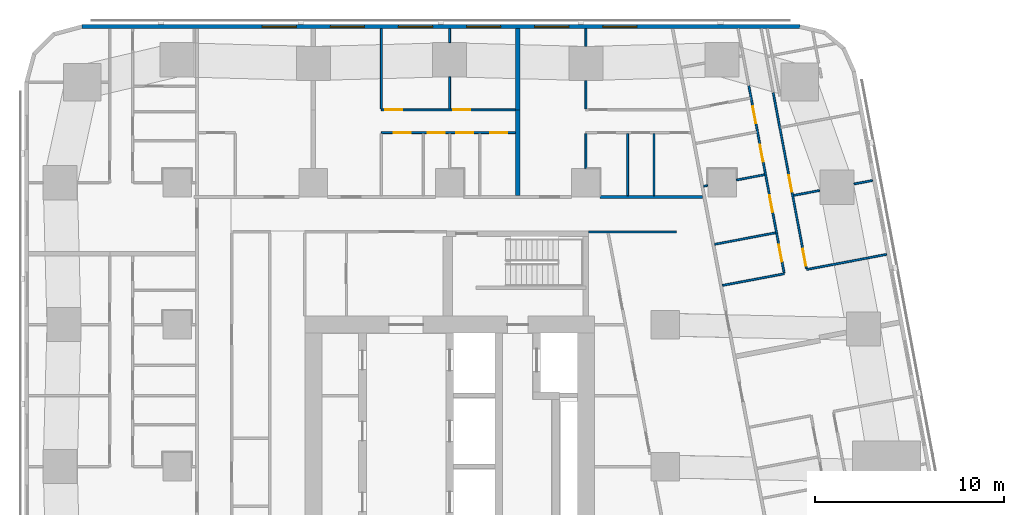
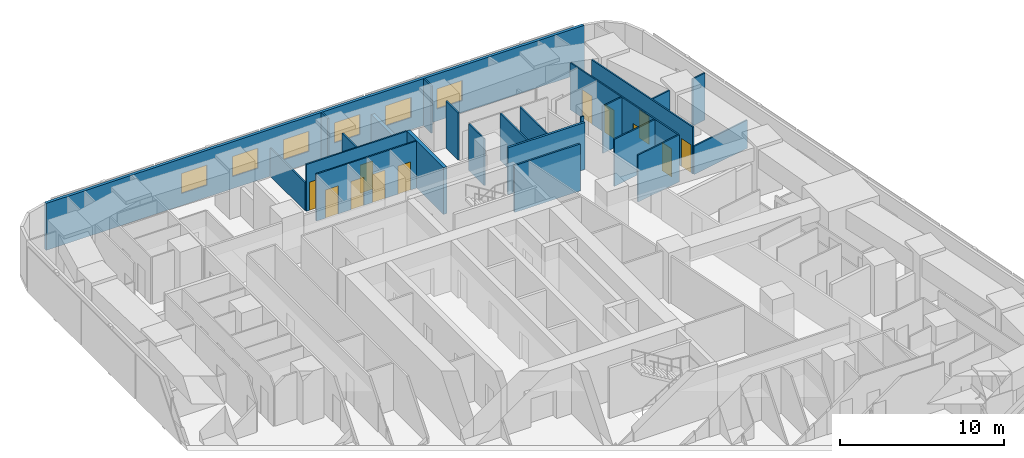
# One storey, part 10 of 15: 24 walls, 12 doors, 6 windows, 18 openings.
"""IFC4 building model written with IfcOpenShell, lengths in metres."""

from ifc_helpers import new_model, si_unit, direction, frame, frame_2d, origin, place, context, subcontext, project, spatial, rectangle, extrude, material, layer, layer_set, type_object, element, fill, save


model = new_model("IFC4")

# Units and contexts
model_context = context("Model", 3, precision=1e-05, world=origin(), true_north=direction((0.0, 1.0)))
body_context = subcontext(model_context, "Body", "Model", "MODEL_VIEW")
ifc_project = project(units=[si_unit("LENGTHUNIT", "METRE"), si_unit("AREAUNIT", "SQUARE_METRE"), si_unit("VOLUMEUNIT", "CUBIC_METRE"), si_unit("PLANEANGLEUNIT", "RADIAN"), si_unit("MASSUNIT", "GRAM", prefix="KILO")], contexts=[model_context])

# Site, building, storey
site_placement = place(None, origin())
site = spatial("IfcSite", under=ifc_project, at=site_placement, CompositionType="ELEMENT")
building_placement = place(site_placement, origin())
building = spatial("IfcBuilding", under=site, at=building_placement, Name="Sheger Commons Tower", CompositionType="ELEMENT")
storey_placement = place(building_placement, frame((0.0, 0.0, 150.800048828125)))
storey = spatial("IfcBuildingStorey", under=building, at=storey_placement, Name="L38", CompositionType="ELEMENT", Elevation=150.800048828125)

# Walls
ifc_material_1 = material(Name="Hollow concrete block masonry, skimmed both sides", Category="masonry")
ifc_layer_1 = layer(ifc_material_1, 0.14990234375)
ifc_layer_set_1 = layer_set([ifc_layer_1], Name="CORRIDOR WALL 150")
wall_type_1 = type_object("IfcWallType", Name="CORRIDOR WALL 150", PredefinedType="SOLIDWALL", material=ifc_layer_set_1)
wall_1_placement = place(storey_placement, frame((29.551025390625, 36.75, 0.0), z_axis=(0.0, 0.0, 1.0), x_axis=(1.0, 0.0, 0.0)))
element("IfcWall", 1, at=wall_1_placement, inside=storey, type_object=wall_type_1, Name="Corridor wall L38", PredefinedType="SOLIDWALL", context=body_context, shape_type="SweptSolid", body=[
    extrude(rectangle(XDim=5.421875, YDim=0.14990234375, at=frame_2d((2.7109375, 0.0))), origin(), (0.0, 0.0, 1.0), 3.5),
])
ifc_material_2 = material(Name="Dense concrete block masonry, plastered both sides (separating wall between flats)", Category="masonry")
ifc_layer_2 = layer(ifc_material_2, 0.25)
ifc_layer_set_2 = layer_set([ifc_layer_2], Name="DEMISING WALL 250")
wall_type_2 = type_object("IfcWallType", Name="DEMISING WALL 250", PredefinedType="SOLIDWALL", material=ifc_layer_set_2)
wall_2_placement = place(storey_placement, frame((25.199951171875, 41.35009765625, 0.0), z_axis=(0.0, 0.0, 1.0), x_axis=(0.0, 1.0, 0.0)))
element("IfcWall", 2, at=wall_2_placement, inside=storey, type_object=wall_type_2, Name="Demising wall L38", PredefinedType="SOLIDWALL", context=body_context, shape_type="SweptSolid", body=[
    extrude(rectangle(XDim=4.2998046875, YDim=0.25, at=frame_2d((2.14990234375, 0.0))), origin(), (0.0, 0.0, 1.0), 2.099853515625),
])
wall_3_placement = place(storey_placement, frame((25.199951171875, 36.824951171875, 0.0), z_axis=(0.0, 0.0, 1.0), x_axis=(0.0, 1.0, 0.0)))
element("IfcWall", 3, at=wall_3_placement, inside=storey, type_object=wall_type_2, Name="Demising wall L38", PredefinedType="SOLIDWALL", context=body_context, shape_type="SweptSolid", body=[
    extrude(rectangle(XDim=4.525146484375, YDim=0.25, at=frame_2d((2.2626953125, 0.0))), origin(), (0.0, 0.0, 1.0), 3.5),
])

# Wall, openings, windows
ifc_material_3 = material(Name="Rendered concrete block masonry, dark grey", Category="masonry")
ifc_layer_3 = layer(ifc_material_3, 0.199951171875)
ifc_layer_set_3 = layer_set([ifc_layer_3], Name="FACADE WALL 200")
wall_type_3 = type_object("IfcWallType", Name="FACADE WALL 200", PredefinedType="SOLIDWALL", material=ifc_layer_set_3)
wall_4_placement = place(storey_placement, frame((40.10595703125, 45.75, 0.0), z_axis=(0.0, 0.0, 1.0), x_axis=(-1.0, 0.0, 0.0)))
wall_4 = element("IfcWall", 4, at=wall_4_placement, inside=storey, type_object=wall_type_3, Name="Facade wall L38", PredefinedType="SOLIDWALL", context=body_context, shape_type="SweptSolid", body=[
    extrude(rectangle(XDim=37.94287109375, YDim=0.199951171875, at=frame_2d((18.971435546875, 0.0))), origin(), (0.0, 0.0, 1.0), 3.5),
])
opening_1_placement = place(wall_4_placement, frame((8.60595703125, 0.0, 0.89990234375)))
opening_1 = element("IfcOpeningElement", 5, at=opening_1_placement, cuts=wall_4, Name="Opening W2", PredefinedType="OPENING", context=body_context, shape_type="SweptSolid", body=[
    extrude(rectangle(XDim=1.800048828125, YDim=1.5, at=frame_2d((0.89990234375, 0.75))), frame((0.0, 0.10986328125, 0.0), z_axis=(0.0, -1.0, 0.0), x_axis=(1.0, 0.0, 0.0)), (0.0, 0.0, 1.0), 0.219970703125),
])
opening_2_placement = place(wall_4_placement, frame((12.2060546875, 0.0, 0.89990234375)))
opening_2 = element("IfcOpeningElement", 6, at=opening_2_placement, cuts=wall_4, Name="Opening W2", PredefinedType="OPENING", context=body_context, shape_type="SweptSolid", body=[
    extrude(rectangle(XDim=1.800048828125, YDim=1.5, at=frame_2d((0.89990234375, 0.75))), frame((0.0, 0.10986328125, 0.0), z_axis=(0.0, -1.0, 0.0), x_axis=(1.0, 0.0, 0.0)), (0.0, 0.0, 1.0), 0.219970703125),
])
opening_3_placement = place(wall_4_placement, frame((15.805908203125, 0.0, 0.89990234375)))
opening_3 = element("IfcOpeningElement", 7, at=opening_3_placement, cuts=wall_4, Name="Opening W2", PredefinedType="OPENING", context=body_context, shape_type="SweptSolid", body=[
    extrude(rectangle(XDim=1.800048828125, YDim=1.5, at=frame_2d((0.89990234375, 0.75))), frame((0.0, 0.10986328125, 0.0), z_axis=(0.0, -1.0, 0.0), x_axis=(1.0, 0.0, 0.0)), (0.0, 0.0, 1.0), 0.219970703125),
])
opening_4_placement = place(wall_4_placement, frame((19.406005859375, 0.0, 0.89990234375)))
opening_4 = element("IfcOpeningElement", 8, at=opening_4_placement, cuts=wall_4, Name="Opening W2", PredefinedType="OPENING", context=body_context, shape_type="SweptSolid", body=[
    extrude(rectangle(XDim=1.800048828125, YDim=1.5, at=frame_2d((0.89990234375, 0.75))), frame((0.0, 0.10986328125, 0.0), z_axis=(0.0, -1.0, 0.0), x_axis=(1.0, 0.0, 0.0)), (0.0, 0.0, 1.0), 0.219970703125),
])
opening_5_placement = place(wall_4_placement, frame((23.006103515625, 0.0, 0.89990234375)))
opening_5 = element("IfcOpeningElement", 9, at=opening_5_placement, cuts=wall_4, Name="Opening W2", PredefinedType="OPENING", context=body_context, shape_type="SweptSolid", body=[
    extrude(rectangle(XDim=1.800048828125, YDim=1.5, at=frame_2d((0.89990234375, 0.75))), frame((0.0, 0.10986328125, 0.0), z_axis=(0.0, -1.0, 0.0), x_axis=(1.0, 0.0, 0.0)), (0.0, 0.0, 1.0), 0.219970703125),
])
opening_6_placement = place(wall_4_placement, frame((26.60595703125, 0.0, 0.89990234375)))
opening_6 = element("IfcOpeningElement", 10, at=opening_6_placement, cuts=wall_4, Name="Opening W2", PredefinedType="OPENING", context=body_context, shape_type="SweptSolid", body=[
    extrude(rectangle(XDim=1.800048828125, YDim=1.5, at=frame_2d((0.89990234375, 0.75))), frame((0.0, 0.10986328125, 0.0), z_axis=(0.0, -1.0, 0.0), x_axis=(1.0, 0.0, 0.0)), (0.0, 0.0, 1.0), 0.219970703125),
])
ifc_material_4 = material(Name="Black aluminium frame, dark tinted double glazing", Category="aluminium")
window_type = type_object("IfcWindowType", Name="WINDOW W2 1800x1500", PartitioningType="SINGLE_PANEL", PredefinedType="WINDOW", material=ifc_material_4)
window_1_placement = place(opening_1_placement, origin())
window_1 = element("IfcWindow", 11, at=window_1_placement, inside=storey, type_object=window_type, Name="Window W2 1800X1500", OverallHeight=1.5, OverallWidth=1.800048828125, PartitioningType="SINGLE_PANEL", PredefinedType="WINDOW", context=body_context, shape_type="SweptSolid", body=[
    extrude(rectangle(XDim=1.800048828125, YDim=1.5, at=frame_2d((0.89990234375, 0.75))), frame((0.0, 0.030029296875, 0.0), z_axis=(0.0, -1.0, 0.0), x_axis=(1.0, 0.0, 0.0)), (0.0, 0.0, 1.0), 0.06005859375),
])
fill(opening_1, window_1)
window_2_placement = place(opening_2_placement, origin())
window_2 = element("IfcWindow", 12, at=window_2_placement, inside=storey, type_object=window_type, Name="Window W2 1800X1500", OverallHeight=1.5, OverallWidth=1.800048828125, PartitioningType="SINGLE_PANEL", PredefinedType="WINDOW", context=body_context, shape_type="SweptSolid", body=[
    extrude(rectangle(XDim=1.800048828125, YDim=1.5, at=frame_2d((0.89990234375, 0.75))), frame((0.0, 0.030029296875, 0.0), z_axis=(0.0, -1.0, 0.0), x_axis=(1.0, 0.0, 0.0)), (0.0, 0.0, 1.0), 0.06005859375),
])
fill(opening_2, window_2)
window_3_placement = place(opening_3_placement, origin())
window_3 = element("IfcWindow", 13, at=window_3_placement, inside=storey, type_object=window_type, Name="Window W2 1800X1500", OverallHeight=1.5, OverallWidth=1.800048828125, PartitioningType="SINGLE_PANEL", PredefinedType="WINDOW", context=body_context, shape_type="SweptSolid", body=[
    extrude(rectangle(XDim=1.800048828125, YDim=1.5, at=frame_2d((0.89990234375, 0.75))), frame((0.0, 0.030029296875, 0.0), z_axis=(0.0, -1.0, 0.0), x_axis=(1.0, 0.0, 0.0)), (0.0, 0.0, 1.0), 0.06005859375),
])
fill(opening_3, window_3)
window_4_placement = place(opening_4_placement, origin())
window_4 = element("IfcWindow", 14, at=window_4_placement, inside=storey, type_object=window_type, Name="Window W2 1800X1500", OverallHeight=1.5, OverallWidth=1.800048828125, PartitioningType="SINGLE_PANEL", PredefinedType="WINDOW", context=body_context, shape_type="SweptSolid", body=[
    extrude(rectangle(XDim=1.800048828125, YDim=1.5, at=frame_2d((0.89990234375, 0.75))), frame((0.0, 0.030029296875, 0.0), z_axis=(0.0, -1.0, 0.0), x_axis=(1.0, 0.0, 0.0)), (0.0, 0.0, 1.0), 0.06005859375),
])
fill(opening_4, window_4)
window_5_placement = place(opening_5_placement, origin())
window_5 = element("IfcWindow", 15, at=window_5_placement, inside=storey, type_object=window_type, Name="Window W2 1800X1500", OverallHeight=1.5, OverallWidth=1.800048828125, PartitioningType="SINGLE_PANEL", PredefinedType="WINDOW", context=body_context, shape_type="SweptSolid", body=[
    extrude(rectangle(XDim=1.800048828125, YDim=1.5, at=frame_2d((0.89990234375, 0.75))), frame((0.0, 0.030029296875, 0.0), z_axis=(0.0, -1.0, 0.0), x_axis=(1.0, 0.0, 0.0)), (0.0, 0.0, 1.0), 0.06005859375),
])
fill(opening_5, window_5)
window_6_placement = place(opening_6_placement, origin())
window_6 = element("IfcWindow", 16, at=window_6_placement, inside=storey, type_object=window_type, Name="Window W2 1800X1500", OverallHeight=1.5, OverallWidth=1.800048828125, PartitioningType="SINGLE_PANEL", PredefinedType="WINDOW", context=body_context, shape_type="SweptSolid", body=[
    extrude(rectangle(XDim=1.800048828125, YDim=1.5, at=frame_2d((0.89990234375, 0.75))), frame((0.0, 0.030029296875, 0.0), z_axis=(0.0, -1.0, 0.0), x_axis=(1.0, 0.0, 0.0)), (0.0, 0.0, 1.0), 0.06005859375),
])
fill(opening_6, window_6)

# Wall, openings, doors
ifc_material_5 = material(Name="Gypsum board on steel studs", Category="steel")
ifc_layer_4 = layer(ifc_material_5, 0.10009765625)
ifc_layer_set_4 = layer_set([ifc_layer_4], Name="PARTITION 100")
wall_type_4 = type_object("IfcWallType", Name="PARTITION 100", PredefinedType="PARTITIONING", material=ifc_layer_set_4)
wall_5_placement = place(storey_placement, frame((38.700927734375, 42.27001953125, 0.0), z_axis=(0.0, 0.0, 1.0), x_axis=(0.185634707842, -0.982618825, 0.0)))
wall_5 = element("IfcWall", 17, at=wall_5_placement, inside=storey, type_object=wall_type_4, Name="Partition L38", PredefinedType="PARTITIONING", context=body_context, shape_type="SweptSolid", body=[
    extrude(rectangle(XDim=9.470458984375, YDim=0.10009765625, at=frame_2d((4.7353515625, 0.0))), origin(), (0.0, 0.0, 1.0), 3.5),
])
opening_7_placement = place(wall_5_placement, frame((8.419921875, 0.0, 0.0)))
opening_7 = element("IfcOpeningElement", 18, at=opening_7_placement, cuts=wall_5, Name="Opening D2", PredefinedType="OPENING", context=body_context, shape_type="SweptSolid", body=[
    extrude(rectangle(XDim=0.89990234375, YDim=2.10009765625, at=frame_2d((0.449951171875, 1.050048828125))), frame((0.0, 0.06005859375, 0.0), z_axis=(0.0, -1.0, 0.0), x_axis=(1.0, 0.0, 0.0)), (0.0, 0.0, 1.0), 0.1201171875),
])
opening_8_placement = place(wall_5_placement, frame((4.444091796875, 0.0, 0.0)))
opening_8 = element("IfcOpeningElement", 19, at=opening_8_placement, cuts=wall_5, Name="Opening D2", PredefinedType="OPENING", context=body_context, shape_type="SweptSolid", body=[
    extrude(rectangle(XDim=0.89990234375, YDim=2.10009765625, at=frame_2d((0.449951171875, 1.050048828125))), frame((0.0, 0.06005859375, 0.0), z_axis=(0.0, -1.0, 0.0), x_axis=(1.0, 0.0, 0.0)), (0.0, 0.0, 1.0), 0.1201171875),
])
ifc_material_6 = material(Name="Timber door set", Category="wood")
door_type = type_object("IfcDoorType", Name="INTERNAL DOOR 900x2100", OperationType="NOTDEFINED", PredefinedType="DOOR", material=ifc_material_6)
door_1_placement = place(opening_7_placement, origin())
door_1 = element("IfcDoor", 20, at=door_1_placement, inside=storey, type_object=door_type, Name="Main bedroom door", OperationType="SINGLE_SWING_RIGHT", OverallHeight=2.10009765625, OverallWidth=0.89990234375, PredefinedType="DOOR", context=body_context, shape_type="SweptSolid", body=[
    extrude(rectangle(XDim=0.89990234375, YDim=2.10009765625, at=frame_2d((0.449951171875, 1.050048828125))), frame((0.0, 0.02490234375, 0.0), z_axis=(0.0, -1.0, 0.0), x_axis=(1.0, 0.0, 0.0)), (0.0, 0.0, 1.0), 0.050048828125),
])
fill(opening_7, door_1)
door_2_placement = place(opening_8_placement, origin())
door_2 = element("IfcDoor", 21, at=door_2_placement, inside=storey, type_object=door_type, Name="Bedroom 2 door", OperationType="SINGLE_SWING_RIGHT", OverallHeight=2.10009765625, OverallWidth=0.89990234375, PredefinedType="DOOR", context=body_context, shape_type="SweptSolid", body=[
    extrude(rectangle(XDim=0.89990234375, YDim=2.10009765625, at=frame_2d((0.449951171875, 1.050048828125))), frame((0.0, 0.02490234375, 0.0), z_axis=(0.0, -1.0, 0.0), x_axis=(1.0, 0.0, 0.0)), (0.0, 0.0, 1.0), 0.050048828125),
])
fill(opening_8, door_2)

wall_6_placement = place(storey_placement, frame((37.410888671875, 42.637939453125, 0.0), z_axis=(0.0, 0.0, 1.0), x_axis=(0.185485587071, -0.982646984928, 0.0)))
wall_6 = element("IfcWall", 22, at=wall_6_placement, inside=storey, type_object=wall_type_4, Name="Partition L38", PredefinedType="PARTITIONING", context=body_context, shape_type="SweptSolid", body=[
    extrude(rectangle(XDim=10.07177734375, YDim=0.10009765625, at=frame_2d((5.035888671875, 0.0))), origin(), (0.0, 0.0, 1.0), 3.5),
])
opening_9_placement = place(wall_6_placement, frame((8.56689453125, 0.0, 0.0)))
opening_9 = element("IfcOpeningElement", 23, at=opening_9_placement, cuts=wall_6, Name="Opening D2", PredefinedType="OPENING", context=body_context, shape_type="SweptSolid", body=[
    extrude(rectangle(XDim=0.89990234375, YDim=2.10009765625, at=frame_2d((0.449951171875, 1.050048828125))), frame((0.0, 0.06005859375, 0.0), z_axis=(0.0, -1.0, 0.0), x_axis=(1.0, 0.0, 0.0)), (0.0, 0.0, 1.0), 0.1201171875),
])
opening_10_placement = place(wall_6_placement, frame((3.18798828125, 0.0, 0.0)))
opening_10 = element("IfcOpeningElement", 24, at=opening_10_placement, cuts=wall_6, Name="Opening D2", PredefinedType="OPENING", context=body_context, shape_type="SweptSolid", body=[
    extrude(rectangle(XDim=0.89990234375, YDim=2.10009765625, at=frame_2d((0.449951171875, 1.050048828125))), frame((0.0, 0.06005859375, 0.0), z_axis=(0.0, -1.0, 0.0), x_axis=(1.0, 0.0, 0.0)), (0.0, 0.0, 1.0), 0.1201171875),
])
opening_11_placement = place(wall_6_placement, frame((1.12890625, 0.0, 0.0)))
opening_11 = element("IfcOpeningElement", 25, at=opening_11_placement, cuts=wall_6, Name="Opening D2", PredefinedType="OPENING", context=body_context, shape_type="SweptSolid", body=[
    extrude(rectangle(XDim=0.89990234375, YDim=2.10009765625, at=frame_2d((0.449951171875, 1.050048828125))), frame((0.0, 0.06005859375, 0.0), z_axis=(0.0, -1.0, 0.0), x_axis=(1.0, 0.0, 0.0)), (0.0, 0.0, 1.0), 0.1201171875),
])
opening_12_placement = place(wall_6_placement, frame((5.89892578125, 0.0, 0.0)))
opening_12 = element("IfcOpeningElement", 26, at=opening_12_placement, cuts=wall_6, Name="Opening D2", PredefinedType="OPENING", context=body_context, shape_type="SweptSolid", body=[
    extrude(rectangle(XDim=0.89990234375, YDim=2.10009765625, at=frame_2d((0.449951171875, 1.050048828125))), frame((0.0, 0.06005859375, 0.0), z_axis=(0.0, -1.0, 0.0), x_axis=(1.0, 0.0, 0.0)), (0.0, 0.0, 1.0), 0.1201171875),
])
door_3_placement = place(opening_9_placement, origin())
door_3 = element("IfcDoor", 27, at=door_3_placement, inside=storey, type_object=door_type, Name="Bathroom door", OperationType="SINGLE_SWING_LEFT", OverallHeight=2.10009765625, OverallWidth=0.89990234375, PredefinedType="DOOR", context=body_context, shape_type="SweptSolid", body=[
    extrude(rectangle(XDim=0.89990234375, YDim=2.10009765625, at=frame_2d((0.449951171875, 1.050048828125))), frame((0.0, 0.02490234375, 0.0), z_axis=(0.0, -1.0, 0.0), x_axis=(1.0, 0.0, 0.0)), (0.0, 0.0, 1.0), 0.050048828125),
])
fill(opening_9, door_3)
door_4_placement = place(opening_10_placement, origin())
door_4 = element("IfcDoor", 28, at=door_4_placement, inside=storey, type_object=door_type, Name="Laundry room door", OperationType="SINGLE_SWING_LEFT", OverallHeight=2.10009765625, OverallWidth=0.89990234375, PredefinedType="DOOR", context=body_context, shape_type="SweptSolid", body=[
    extrude(rectangle(XDim=0.89990234375, YDim=2.10009765625, at=frame_2d((0.449951171875, 1.050048828125))), frame((0.0, 0.02490234375, 0.0), z_axis=(0.0, -1.0, 0.0), x_axis=(1.0, 0.0, 0.0)), (0.0, 0.0, 1.0), 0.050048828125),
])
fill(opening_10, door_4)
door_5_placement = place(opening_11_placement, origin())
door_5 = element("IfcDoor", 29, at=door_5_placement, inside=storey, type_object=door_type, Name="Laundry room door", OperationType="SINGLE_SWING_LEFT", OverallHeight=2.10009765625, OverallWidth=0.89990234375, PredefinedType="DOOR", context=body_context, shape_type="SweptSolid", body=[
    extrude(rectangle(XDim=0.89990234375, YDim=2.10009765625, at=frame_2d((0.449951171875, 1.050048828125))), frame((0.0, 0.02490234375, 0.0), z_axis=(0.0, -1.0, 0.0), x_axis=(1.0, 0.0, 0.0)), (0.0, 0.0, 1.0), 0.050048828125),
])
fill(opening_11, door_5)
door_6_placement = place(opening_12_placement, origin())
door_6 = element("IfcDoor", 30, at=door_6_placement, inside=storey, type_object=door_type, Name="Store door", OperationType="SINGLE_SWING_RIGHT", OverallHeight=2.10009765625, OverallWidth=0.89990234375, PredefinedType="DOOR", context=body_context, shape_type="SweptSolid", body=[
    extrude(rectangle(XDim=0.89990234375, YDim=2.10009765625, at=frame_2d((0.449951171875, 1.050048828125))), frame((0.0, 0.02490234375, 0.0), z_axis=(0.0, -1.0, 0.0), x_axis=(1.0, 0.0, 0.0)), (0.0, 0.0, 1.0), 0.050048828125),
])
fill(opening_12, door_6)

# Walls
wall_7_placement = place(storey_placement, frame((43.955078125, 37.6201171875, 0.0), z_axis=(0.0, 0.0, 1.0), x_axis=(-0.982666697719, -0.185381124159, 0.0)))
element("IfcWall", 31, at=wall_7_placement, inside=storey, type_object=wall_type_4, Name="Partition L38", PredefinedType="PARTITIONING", context=body_context, shape_type="SweptSolid", body=[
    extrude(rectangle(XDim=0.998291015625, YDim=0.10009765625, at=frame_2d((0.4990234375, 0.0))), origin(), (0.0, 0.0, 1.0), 3.5),
])
wall_8_placement = place(storey_placement, frame((41.154052734375, 37.091064453125, 0.0), z_axis=(0.0, 0.0, 1.0), x_axis=(-0.982586605669, -0.185805173125, 0.0)))
element("IfcWall", 32, at=wall_8_placement, inside=storey, type_object=wall_type_4, Name="Partition L38", PredefinedType="PARTITIONING", context=body_context, shape_type="SweptSolid", body=[
    extrude(rectangle(XDim=1.3994140625, YDim=0.10009765625, at=frame_2d((0.69970703125, 0.0))), origin(), (0.0, 0.0, 1.0), 3.5),
])
wall_9_placement = place(storey_placement, frame((44.693115234375, 33.712890625, 0.0), z_axis=(0.0, 0.0, 1.0), x_axis=(-0.982633535512, -0.185556823879, 0.0)))
element("IfcWall", 33, at=wall_9_placement, inside=storey, type_object=wall_type_4, Name="Partition L38", PredefinedType="PARTITIONING", context=body_context, shape_type="SweptSolid", body=[
    extrude(rectangle(XDim=4.2998046875, YDim=0.10009765625, at=frame_2d((2.14990234375, 0.0))), origin(), (0.0, 0.0, 1.0), 2.099853515625),
])
wall_10_placement = place(storey_placement, frame((38.25, 37.925048828125, 0.0), z_axis=(0.0, 0.0, 1.0), x_axis=(-0.982676595259, -0.18532865167, 0.0)))
element("IfcWall", 34, at=wall_10_placement, inside=storey, type_object=wall_type_4, Name="Partition L38", PredefinedType="PARTITIONING", context=body_context, shape_type="SweptSolid", body=[
    extrude(rectangle(XDim=1.516357421875, YDim=0.10009765625, at=frame_2d((0.75830078125, 0.0))), origin(), (0.0, 0.0, 1.0), 3.5),
])
wall_11_placement = place(storey_placement, frame((35.239990234375, 37.35595703125, 0.0), z_axis=(0.0, 0.0, 1.0), x_axis=(-0.982819911474, -0.184567119526, 0.0)))
element("IfcWall", 35, at=wall_11_placement, inside=storey, type_object=wall_type_4, Name="Partition L38", PredefinedType="PARTITIONING", context=body_context, shape_type="SweptSolid", body=[
    extrude(rectangle(XDim=0.211669921875, YDim=0.10009765625, at=frame_2d((0.10595703125, 0.0))), origin(), (0.0, 0.0, 1.0), 3.5),
])
wall_12_placement = place(storey_placement, frame((39.2890625, 32.69189453125, 0.0), z_axis=(0.0, 0.0, 1.0), x_axis=(-0.982633623707, -0.185556356831, 0.0)))
element("IfcWall", 36, at=wall_12_placement, inside=storey, type_object=wall_type_4, Name="Partition L38", PredefinedType="PARTITIONING", context=body_context, shape_type="SweptSolid", body=[
    extrude(rectangle(XDim=3.324951171875, YDim=0.10009765625, at=frame_2d((1.66259765625, 0.0))), origin(), (0.0, 0.0, 1.0), 3.5),
])
wall_13_placement = place(storey_placement, frame((38.8291015625, 34.85498046875, 0.0), z_axis=(0.0, 0.0, 1.0), x_axis=(-0.982610347627, -0.185679575441, 0.0)))
element("IfcWall", 37, at=wall_13_placement, inside=storey, type_object=wall_type_4, Name="Partition L38", PredefinedType="PARTITIONING", context=body_context, shape_type="SweptSolid", body=[
    extrude(rectangle(XDim=3.27392578125, YDim=0.10009765625, at=frame_2d((1.636962890625, 0.0))), origin(), (0.0, 0.0, 1.0), 3.5),
])

# Wall, openings, doors
wall_14_placement = place(storey_placement, frame((18.0, 41.35009765625, 0.0), z_axis=(0.0, 0.0, 1.0), x_axis=(1.0, 0.0, 0.0)))
wall_14 = element("IfcWall", 38, at=wall_14_placement, inside=storey, type_object=wall_type_4, Name="Partition L38", PredefinedType="PARTITIONING", context=body_context, shape_type="SweptSolid", body=[
    extrude(rectangle(XDim=7.074951171875, YDim=0.10009765625, at=frame_2d((3.53759765625, 0.0))), origin(), (0.0, 0.0, 1.0), 3.5),
])
opening_13_placement = place(wall_14_placement, frame((0.199951171875, 0.0, 0.0)))
opening_13 = element("IfcOpeningElement", 39, at=opening_13_placement, cuts=wall_14, Name="Opening D2", PredefinedType="OPENING", context=body_context, shape_type="SweptSolid", body=[
    extrude(rectangle(XDim=0.89990234375, YDim=2.10009765625, at=frame_2d((0.449951171875, 1.050048828125))), frame((0.0, 0.06005859375, 0.0), z_axis=(0.0, -1.0, 0.0), x_axis=(1.0, 0.0, 0.0)), (0.0, 0.0, 1.0), 0.1201171875),
])
opening_14_placement = place(wall_14_placement, frame((3.800048828125, 0.0, 0.0)))
opening_14 = element("IfcOpeningElement", 40, at=opening_14_placement, cuts=wall_14, Name="Opening D2", PredefinedType="OPENING", context=body_context, shape_type="SweptSolid", body=[
    extrude(rectangle(XDim=0.89990234375, YDim=2.10009765625, at=frame_2d((0.449951171875, 1.050048828125))), frame((0.0, 0.06005859375, 0.0), z_axis=(0.0, -1.0, 0.0), x_axis=(1.0, 0.0, 0.0)), (0.0, 0.0, 1.0), 0.1201171875),
])
door_7_placement = place(opening_13_placement, origin())
door_7 = element("IfcDoor", 41, at=door_7_placement, inside=storey, type_object=door_type, Name="Main bedroom door", OperationType="SINGLE_SWING_LEFT", OverallHeight=2.10009765625, OverallWidth=0.89990234375, PredefinedType="DOOR", context=body_context, shape_type="SweptSolid", body=[
    extrude(rectangle(XDim=0.89990234375, YDim=2.10009765625, at=frame_2d((0.449951171875, 1.050048828125))), frame((0.0, 0.02490234375, 0.0), z_axis=(0.0, -1.0, 0.0), x_axis=(1.0, 0.0, 0.0)), (0.0, 0.0, 1.0), 0.050048828125),
])
fill(opening_13, door_7)
door_8_placement = place(opening_14_placement, origin())
door_8 = element("IfcDoor", 42, at=door_8_placement, inside=storey, type_object=door_type, Name="Bedroom 2 door", OperationType="SINGLE_SWING_LEFT", OverallHeight=2.10009765625, OverallWidth=0.89990234375, PredefinedType="DOOR", context=body_context, shape_type="SweptSolid", body=[
    extrude(rectangle(XDim=0.89990234375, YDim=2.10009765625, at=frame_2d((0.449951171875, 1.050048828125))), frame((0.0, 0.02490234375, 0.0), z_axis=(0.0, -1.0, 0.0), x_axis=(1.0, 0.0, 0.0)), (0.0, 0.0, 1.0), 0.050048828125),
])
fill(opening_14, door_8)

wall_15_placement = place(storey_placement, frame((18.0, 40.14990234375, 0.0), z_axis=(0.0, 0.0, 1.0), x_axis=(1.0, 0.0, 0.0)))
wall_15 = element("IfcWall", 43, at=wall_15_placement, inside=storey, type_object=wall_type_4, Name="Partition L38", PredefinedType="PARTITIONING", context=body_context, shape_type="SweptSolid", body=[
    extrude(rectangle(XDim=7.074951171875, YDim=0.10009765625, at=frame_2d((3.53759765625, 0.0))), origin(), (0.0, 0.0, 1.0), 3.5),
])
opening_15_placement = place(wall_15_placement, frame((0.655029296875, 0.0, 0.0)))
opening_15 = element("IfcOpeningElement", 44, at=opening_15_placement, cuts=wall_15, Name="Opening D2", PredefinedType="OPENING", context=body_context, shape_type="SweptSolid", body=[
    extrude(rectangle(XDim=0.89990234375, YDim=2.10009765625, at=frame_2d((0.449951171875, 1.050048828125))), frame((0.0, 0.06005859375, 0.0), z_axis=(0.0, -1.0, 0.0), x_axis=(1.0, 0.0, 0.0)), (0.0, 0.0, 1.0), 0.1201171875),
])
opening_16_placement = place(wall_15_placement, frame((3.949951171875, 0.0, 0.0)))
opening_16 = element("IfcOpeningElement", 45, at=opening_16_placement, cuts=wall_15, Name="Opening D2", PredefinedType="OPENING", context=body_context, shape_type="SweptSolid", body=[
    extrude(rectangle(XDim=0.89990234375, YDim=2.10009765625, at=frame_2d((0.449951171875, 1.050048828125))), frame((0.0, 0.06005859375, 0.0), z_axis=(0.0, -1.0, 0.0), x_axis=(1.0, 0.0, 0.0)), (0.0, 0.0, 1.0), 0.1201171875),
])
opening_17_placement = place(wall_15_placement, frame((2.455078125, 0.0, 0.0)))
opening_17 = element("IfcOpeningElement", 46, at=opening_17_placement, cuts=wall_15, Name="Opening D2", PredefinedType="OPENING", context=body_context, shape_type="SweptSolid", body=[
    extrude(rectangle(XDim=0.89990234375, YDim=2.10009765625, at=frame_2d((0.449951171875, 1.050048828125))), frame((0.0, 0.06005859375, 0.0), z_axis=(0.0, -1.0, 0.0), x_axis=(1.0, 0.0, 0.0)), (0.0, 0.0, 1.0), 0.1201171875),
])
opening_18_placement = place(wall_15_placement, frame((5.75, 0.0, 0.0)))
opening_18 = element("IfcOpeningElement", 47, at=opening_18_placement, cuts=wall_15, Name="Opening D2", PredefinedType="OPENING", context=body_context, shape_type="SweptSolid", body=[
    extrude(rectangle(XDim=0.89990234375, YDim=2.10009765625, at=frame_2d((0.449951171875, 1.050048828125))), frame((0.0, 0.06005859375, 0.0), z_axis=(0.0, -1.0, 0.0), x_axis=(1.0, 0.0, 0.0)), (0.0, 0.0, 1.0), 0.1201171875),
])
door_9_placement = place(opening_15_placement, origin())
door_9 = element("IfcDoor", 48, at=door_9_placement, inside=storey, type_object=door_type, Name="Bathroom door", OperationType="SINGLE_SWING_RIGHT", OverallHeight=2.10009765625, OverallWidth=0.89990234375, PredefinedType="DOOR", context=body_context, shape_type="SweptSolid", body=[
    extrude(rectangle(XDim=0.89990234375, YDim=2.10009765625, at=frame_2d((0.449951171875, 1.050048828125))), frame((0.0, 0.02490234375, 0.0), z_axis=(0.0, -1.0, 0.0), x_axis=(1.0, 0.0, 0.0)), (0.0, 0.0, 1.0), 0.050048828125),
])
fill(opening_15, door_9)
door_10_placement = place(opening_16_placement, origin())
door_10 = element("IfcDoor", 49, at=door_10_placement, inside=storey, type_object=door_type, Name="Shower room door", OperationType="SINGLE_SWING_LEFT", OverallHeight=2.10009765625, OverallWidth=0.89990234375, PredefinedType="DOOR", context=body_context, shape_type="SweptSolid", body=[
    extrude(rectangle(XDim=0.89990234375, YDim=2.10009765625, at=frame_2d((0.449951171875, 1.050048828125))), frame((0.0, 0.02490234375, 0.0), z_axis=(0.0, -1.0, 0.0), x_axis=(1.0, 0.0, 0.0)), (0.0, 0.0, 1.0), 0.050048828125),
])
fill(opening_16, door_10)
door_11_placement = place(opening_17_placement, origin())
door_11 = element("IfcDoor", 50, at=door_11_placement, inside=storey, type_object=door_type, Name="Store door", OperationType="SINGLE_SWING_LEFT", OverallHeight=2.10009765625, OverallWidth=0.89990234375, PredefinedType="DOOR", context=body_context, shape_type="SweptSolid", body=[
    extrude(rectangle(XDim=0.89990234375, YDim=2.10009765625, at=frame_2d((0.449951171875, 1.050048828125))), frame((0.0, 0.02490234375, 0.0), z_axis=(0.0, -1.0, 0.0), x_axis=(1.0, 0.0, 0.0)), (0.0, 0.0, 1.0), 0.050048828125),
])
fill(opening_17, door_11)
door_12_placement = place(opening_18_placement, origin())
door_12 = element("IfcDoor", 51, at=door_12_placement, inside=storey, type_object=door_type, Name="Store door", OperationType="SINGLE_SWING_LEFT", OverallHeight=2.10009765625, OverallWidth=0.89990234375, PredefinedType="DOOR", context=body_context, shape_type="SweptSolid", body=[
    extrude(rectangle(XDim=0.89990234375, YDim=2.10009765625, at=frame_2d((0.449951171875, 1.050048828125))), frame((0.0, 0.02490234375, 0.0), z_axis=(0.0, -1.0, 0.0), x_axis=(1.0, 0.0, 0.0)), (0.0, 0.0, 1.0), 0.050048828125),
])
fill(opening_18, door_12)

# Walls
wall_16_placement = place(storey_placement, frame((18.0, 41.39990234375, 0.0), z_axis=(0.0, 0.0, 1.0), x_axis=(0.0, 1.0, 0.0)))
element("IfcWall", 52, at=wall_16_placement, inside=storey, type_object=wall_type_4, Name="Partition L38", PredefinedType="PARTITIONING", context=body_context, shape_type="SweptSolid", body=[
    extrude(rectangle(XDim=4.25, YDim=0.10009765625, at=frame_2d((2.125, 0.0))), origin(), (0.0, 0.0, 1.0), 2.099853515625),
])
wall_17_placement = place(storey_placement, frame((21.60009765625, 41.39990234375, 0.0), z_axis=(0.0, 0.0, 1.0), x_axis=(0.0, 1.0, 0.0)))
element("IfcWall", 53, at=wall_17_placement, inside=storey, type_object=wall_type_4, Name="Partition L38", PredefinedType="PARTITIONING", context=body_context, shape_type="SweptSolid", body=[
    extrude(rectangle(XDim=1.69921875, YDim=0.10009765625, at=frame_2d((0.849609375, 0.0))), origin(), (0.0, 0.0, 1.0), 3.5),
])
wall_18_placement = place(storey_placement, frame((21.60009765625, 44.90087890625, 0.0), z_axis=(0.0, 0.0, 1.0), x_axis=(0.0, 1.0, 0.0)))
element("IfcWall", 54, at=wall_18_placement, inside=storey, type_object=wall_type_4, Name="Partition L38", PredefinedType="PARTITIONING", context=body_context, shape_type="SweptSolid", body=[
    extrude(rectangle(XDim=0.7490234375, YDim=0.10009765625, at=frame_2d((0.37451171875, 0.0))), origin(), (0.0, 0.0, 1.0), 3.5),
])
wall_19_placement = place(storey_placement, frame((28.800048828125, 41.39990234375, 0.0), z_axis=(0.0, 0.0, 1.0), x_axis=(0.0, 1.0, 0.0)))
element("IfcWall", 55, at=wall_19_placement, inside=storey, type_object=wall_type_4, Name="Partition L38", PredefinedType="PARTITIONING", context=body_context, shape_type="SweptSolid", body=[
    extrude(rectangle(XDim=1.4990234375, YDim=0.10009765625, at=frame_2d((0.74951171875, 0.0))), origin(), (0.0, 0.0, 1.0), 3.5),
])
wall_20_placement = place(storey_placement, frame((28.800048828125, 44.700927734375, 0.0), z_axis=(0.0, 0.0, 1.0), x_axis=(0.0, 1.0, 0.0)))
element("IfcWall", 56, at=wall_20_placement, inside=storey, type_object=wall_type_4, Name="Partition L38", PredefinedType="PARTITIONING", context=body_context, shape_type="SweptSolid", body=[
    extrude(rectangle(XDim=0.948974609375, YDim=0.10009765625, at=frame_2d((0.474609375, 0.0))), origin(), (0.0, 0.0, 1.0), 3.5),
])
wall_21_placement = place(storey_placement, frame((28.800048828125, 38.2509765625, 0.0), z_axis=(0.0, 0.0, 1.0), x_axis=(0.0, 1.0, 0.0)))
element("IfcWall", 57, at=wall_21_placement, inside=storey, type_object=wall_type_4, Name="Partition L38", PredefinedType="PARTITIONING", context=body_context, shape_type="SweptSolid", body=[
    extrude(rectangle(XDim=1.84912109375, YDim=0.10009765625, at=frame_2d((0.924560546875, 0.0))), origin(), (0.0, 0.0, 1.0), 3.5),
])
for number, where, z_axis, x_axis, name in (
    (58, (32.39990234375, 36.824951171875, 0.0), (0.0, 0.0, 1.0), (0.0, 1.0, 0.0), "Partition L38"),
    (59, (31.010009765625, 36.824951171875, 0.0), (0.0, 0.0, 1.0), (0.0, 1.0, 0.0), "Partition L38"),
):
    element("IfcWall", number, at=place(storey_placement, frame(where, z_axis=z_axis, x_axis=x_axis)), inside=storey, type_object=wall_type_4, Name=name, PredefinedType="PARTITIONING", context=body_context, shape_type="SweptSolid", body=[
        extrude(rectangle(XDim=3.275146484375, YDim=0.10009765625, at=frame_2d((1.6376953125, 0.0))), origin(), (0.0, 0.0, 1.0), 3.5),
    ])
ifc_material_7 = material(Name="Gypsum board on steel studs, two layers each side, fire rated", Category="steel")
ifc_layer_5 = layer(ifc_material_7, 0.125)
ifc_layer_set_5 = layer_set([ifc_layer_5], Name="SERVICE WALL 125")
wall_type_5 = type_object("IfcWallType", Name="SERVICE WALL 125", PredefinedType="PARTITIONING", material=ifc_layer_set_5)
wall_22_placement = place(storey_placement, frame((28.949951171875, 34.89990234375, 0.0), z_axis=(0.0, 0.0, 1.0), x_axis=(1.0, 0.0, 0.0)))
element("IfcWall", 60, at=wall_22_placement, inside=storey, type_object=wall_type_5, Name="Service room wall L38", PredefinedType="PARTITIONING", context=body_context, shape_type="SweptSolid", body=[
    extrude(rectangle(XDim=4.630126953125, YDim=0.125, at=frame_2d((2.31494140625, 0.0))), origin(), (0.0, 0.0, 1.0), 3.5),
])

save(model, "model.ifc")
